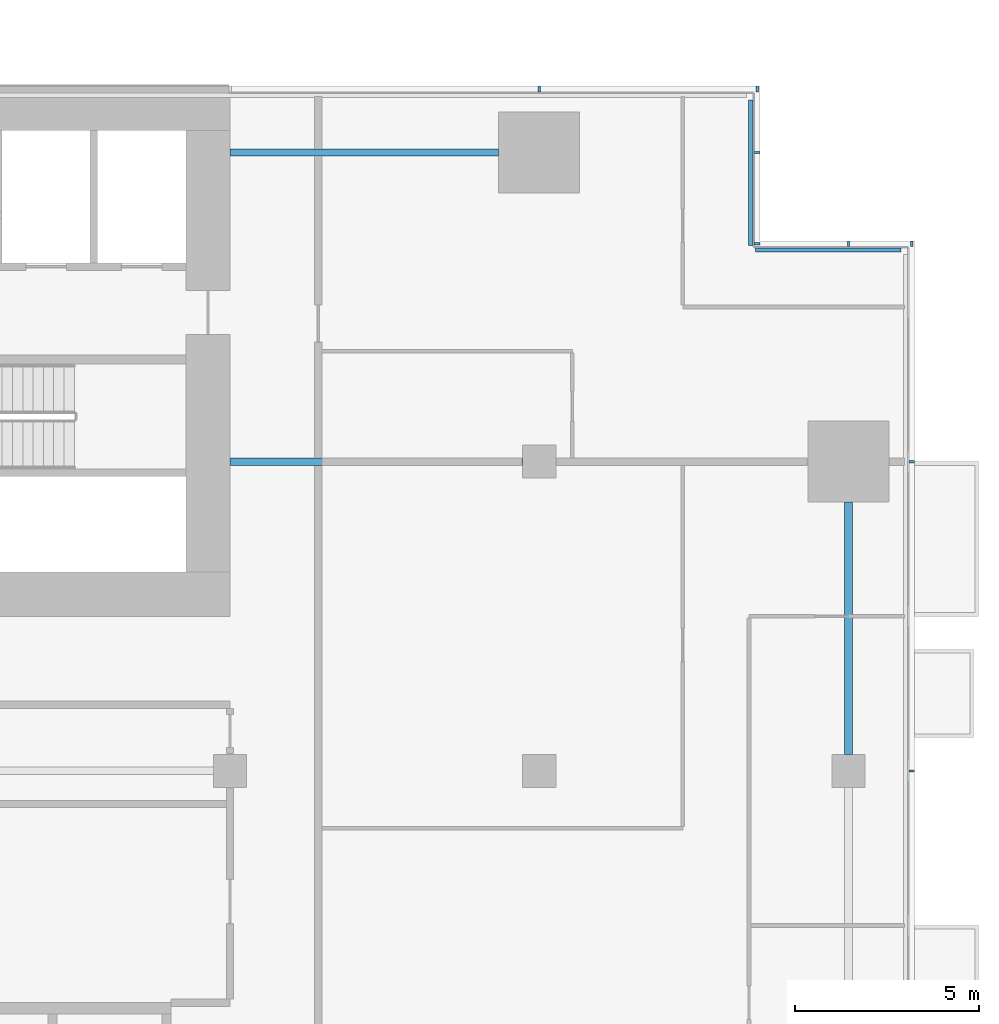
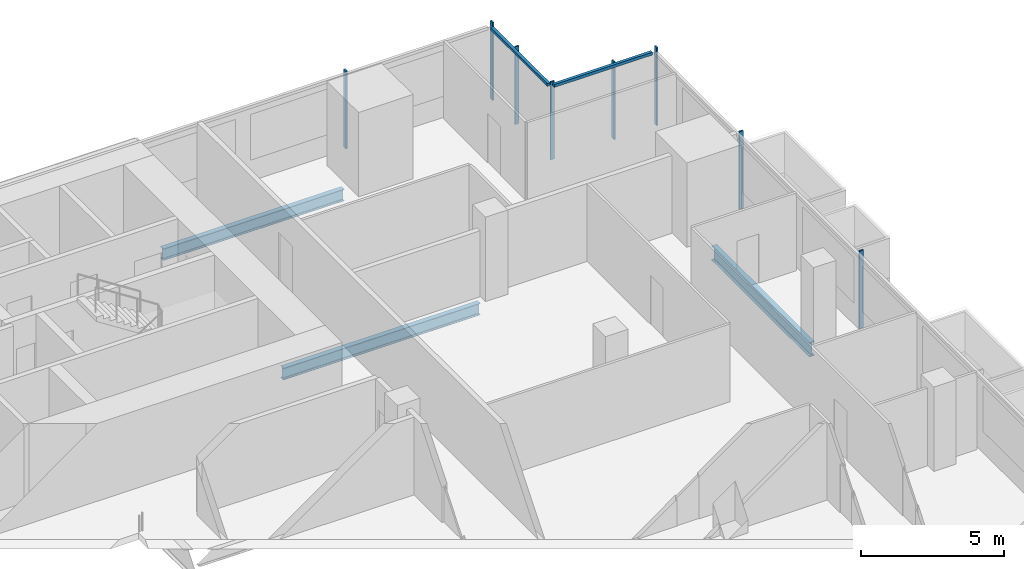
# One storey, part 13 of 27: 10 members, 3 beams, 4 elements without a shape of their own.
"""IFC4 building model written with IfcOpenShell, lengths in metres."""

from ifc_helpers import new_model, si_unit, direction, frame, origin, origin_2d, place, context, subcontext, project, spatial, rectangle, i_section, extrude, material, material_profile, profile_set, type_object, element, aggregate, save


model = new_model("IFC4")

# Units and contexts
model_context = context("Model", 3, precision=1e-05, world=origin(), true_north=direction((0.0, 1.0)))
body_context = subcontext(model_context, "Body", "Model", "MODEL_VIEW")
ifc_project = project(units=[si_unit("LENGTHUNIT", "METRE"), si_unit("AREAUNIT", "SQUARE_METRE"), si_unit("VOLUMEUNIT", "CUBIC_METRE"), si_unit("PLANEANGLEUNIT", "RADIAN"), si_unit("MASSUNIT", "GRAM", prefix="KILO")], contexts=[model_context])

# Site, building, storey
site_placement = place(None, origin())
site = spatial("IfcSite", under=ifc_project, at=site_placement, CompositionType="ELEMENT")
building_placement = place(site_placement, origin())
building = spatial("IfcBuilding", under=site, at=building_placement, Name="Saffron Gate Tower", CompositionType="ELEMENT")
storey_placement = place(building_placement, frame((0.0, 0.0, 40.800048828125)))
storey = spatial("IfcBuildingStorey", under=building, at=storey_placement, Name="L08", CompositionType="ELEMENT", Elevation=40.800048828125)

# Beams
ifc_material_1 = material(Name="Structural steel S355", Category="steel")
ifc_material_profile_1 = material_profile(ifc_material_1, i_section(OverallWidth=0.199951171875, OverallDepth=0.5, WebThickness=0.01025390625, FlangeThickness=0.01611328125, FilletRadius=0.02099609375, at=origin_2d()))
ifc_profile_set_1 = profile_set([ifc_material_profile_1], Name="Structural steel S355")
beam_type_1 = type_object("IfcBeamType", Name="B10 IPE 500", PredefinedType="BEAM", material=ifc_profile_set_1)
beam_1_placement = place(storey_placement, frame((116.550048828125, 65.39990234375, -0.530029296875), z_axis=(-1.0, 0.0, 0.0), x_axis=(0.0, -1.0, 0.0)))
element("IfcBeam", 1, at=beam_1_placement, inside=storey, type_object=beam_type_1, Name="B10 CORE TIE BEAM", PredefinedType="BEAM", context=body_context, shape_type="SweptSolid", body=[
    extrude(i_section(OverallWidth=0.199951171875, OverallDepth=0.5, WebThickness=0.01025390625, FlangeThickness=0.01611328125, FilletRadius=0.02099609375, at=origin_2d()), origin(), (0.0, 0.0, 1.0), 7.949951171875),
])
beam_2_placement = place(storey_placement, frame((115.89990234375, 73.800048828125, -0.530029296875), z_axis=(-1.0, 0.0, 0.0), x_axis=(0.0, -1.0, 0.0)))
element("IfcBeam", 2, at=beam_2_placement, inside=storey, type_object=beam_type_1, Name="B10 CORE TIE BEAM", PredefinedType="BEAM", context=body_context, shape_type="SweptSolid", body=[
    extrude(i_section(OverallWidth=0.199951171875, OverallDepth=0.5, WebThickness=0.01025390625, FlangeThickness=0.01611328125, FilletRadius=0.02099609375, at=origin_2d()), origin(), (0.0, 0.0, 1.0), 7.2998046875),
])
ifc_material_profile_2 = material_profile(ifc_material_1, i_section(OverallWidth=0.219970703125, OverallDepth=0.60009765625, WebThickness=0.011962890625, FlangeThickness=0.01904296875, FilletRadius=0.02392578125, at=origin_2d()))
ifc_profile_set_2 = profile_set([ifc_material_profile_2], Name="Structural steel S355")
beam_type_2 = type_object("IfcBeamType", Name="B16 IPE 600", PredefinedType="SPANDREL", material=ifc_profile_set_2)
beam_3_placement = place(storey_placement, frame((125.39990234375, 57.449951171875, -0.580078125), z_axis=(0.0, 1.0, 0.0), x_axis=(-1.0, 0.0, 0.0)))
element("IfcBeam", 3, at=beam_3_placement, inside=storey, type_object=beam_type_2, Name="B16 SPANDREL BEAM", PredefinedType="SPANDREL", context=body_context, shape_type="SweptSolid", body=[
    extrude(i_section(OverallWidth=0.219970703125, OverallDepth=0.60009765625, WebThickness=0.011962890625, FlangeThickness=0.01904296875, FilletRadius=0.02392578125, at=origin_2d()), origin(), (0.0, 0.0, 1.0), 6.85009765625),
])

# Curtain wall, members
ifc_material_2 = material(Name="Aluminium, bronze anodised", Category="aluminium")
curtain_wall_type_1 = type_object("IfcCurtainWallType", Name="CWS2 curtain wall side facades", PredefinedType="NOTDEFINED", material=ifc_material_2)
curtain_wall_1_placement = place(storey_placement, origin())
curtain_wall_1 = element("IfcCurtainWall", 4, at=curtain_wall_1_placement, inside=storey, type_object=curtain_wall_type_1, Name="CWS2 run 4", PredefinedType="NOTDEFINED")
ifc_material_profile_3 = material_profile(ifc_material_2, rectangle(XDim=0.159912109375, YDim=0.06005859375, at=origin_2d()))
ifc_profile_set_3 = profile_set([ifc_material_profile_3], Name="Aluminium, bronze anodised")
member_type_1 = type_object("IfcMemberType", Name="CWS2 mullion 60x160", PredefinedType="MULLION", material=ifc_profile_set_3)
member_1_placement = place(storey_placement, frame((127.1201171875, 57.0, 0.0), z_axis=(0.0, 0.0, 1.0), x_axis=(-1.0, 0.0, 0.0)))
member_1 = element("IfcMember", 5, at=member_1_placement, type_object=member_type_1, Name="CWS2 mullion 4", PredefinedType="MULLION", context=body_context, shape_type="SweptSolid", body=[
    extrude(rectangle(XDim=0.159912109375, YDim=0.06005859375, at=origin_2d()), origin(), (0.0, 0.0, 1.0), 3.320068359375),
])
member_2_placement = place(storey_placement, frame((127.1201171875, 65.39990234375, 0.0), z_axis=(0.0, 0.0, 1.0), x_axis=(-1.0, 0.0, 0.0)))
member_2 = element("IfcMember", 6, at=member_2_placement, type_object=member_type_1, Name="CWS2 mullion 5", PredefinedType="MULLION", context=body_context, shape_type="SweptSolid", body=[
    extrude(rectangle(XDim=0.159912109375, YDim=0.06005859375, at=origin_2d()), origin(), (0.0, 0.0, 1.0), 3.320068359375),
])
aggregate(curtain_wall_1, [member_1, member_2])

curtain_wall_type_2 = type_object("IfcCurtainWallType", Name="CWS3 curtain wall rear facade", PredefinedType="NOTDEFINED", material=ifc_material_2)
curtain_wall_2_placement = place(storey_placement, origin())
curtain_wall_2 = element("IfcCurtainWall", 7, at=curtain_wall_2_placement, inside=storey, type_object=curtain_wall_type_2, Name="CWS3 run 7", PredefinedType="NOTDEFINED")
ifc_material_profile_4 = material_profile(ifc_material_2, rectangle(XDim=0.159912109375, YDim=0.070068359375, at=origin_2d()))
ifc_profile_set_4 = profile_set([ifc_material_profile_4], Name="Aluminium, bronze anodised")
member_type_2 = type_object("IfcMemberType", Name="CWS3 mullion 70x160", PredefinedType="MULLION", material=ifc_profile_set_4)
member_3_placement = place(storey_placement, frame((122.919921875, 75.52001953125, 0.0), z_axis=(0.0, 0.0, 1.0), x_axis=(0.0, -1.0, 0.0)))
member_3 = element("IfcMember", 8, at=member_3_placement, type_object=member_type_2, Name="CWS3 mullion 1", PredefinedType="MULLION", context=body_context, shape_type="SweptSolid", body=[
    extrude(rectangle(XDim=0.159912109375, YDim=0.070068359375, at=origin_2d()), origin(), (0.0, 0.0, 1.0), 3.320068359375),
])
member_4_placement = place(storey_placement, frame((117.0, 75.52001953125, 0.0), z_axis=(0.0, 0.0, 1.0), x_axis=(0.0, -1.0, 0.0)))
member_4 = element("IfcMember", 9, at=member_4_placement, type_object=member_type_2, Name="CWS3 mullion 2", PredefinedType="MULLION", context=body_context, shape_type="SweptSolid", body=[
    extrude(rectangle(XDim=0.159912109375, YDim=0.070068359375, at=origin_2d()), origin(), (0.0, 0.0, 1.0), 3.320068359375),
])
aggregate(curtain_wall_2, [member_3, member_4])

# Curtain wall, member
curtain_wall_type_3 = type_object("IfcCurtainWallType", Name="CWS4 curtain wall corner returns", PredefinedType="NOTDEFINED", material=ifc_material_2)
curtain_wall_3_placement = place(storey_placement, origin())
curtain_wall_3 = element("IfcCurtainWall", 10, at=curtain_wall_3_placement, inside=storey, type_object=curtain_wall_type_3, Name="CWS4 run 5", PredefinedType="NOTDEFINED")
ifc_material_profile_5 = material_profile(ifc_material_2, rectangle(XDim=0.1201171875, YDim=0.1201171875, at=origin_2d()))
ifc_profile_set_5 = profile_set([ifc_material_profile_5], Name="Aluminium, bronze anodised")
member_type_3 = type_object("IfcMemberType", Name="CWS4 head transom", PredefinedType="USERDEFINED", material=ifc_profile_set_5)
member_5_placement = place(storey_placement, frame((126.83203125, 71.152099609375, 3.260009765625), z_axis=(-1.0, 0.0, 0.0), x_axis=(0.0, -1.0, 0.0)))
member_5 = element("IfcMember", 11, at=member_5_placement, type_object=member_type_3, Name="CWS4 head transom", ObjectType="TRANSOM", PredefinedType="USERDEFINED", context=body_context, shape_type="SweptSolid", body=[
    extrude(rectangle(XDim=0.1201171875, YDim=0.1201171875, at=origin_2d()), origin(), (0.0, 0.0, 1.0), 3.9599609375),
])

curtain_wall_4_placement = place(storey_placement, origin())
curtain_wall_4 = element("IfcCurtainWall", 12, at=curtain_wall_4_placement, inside=storey, type_object=curtain_wall_type_3, Name="CWS4 run 6", PredefinedType="NOTDEFINED")
member_6_placement = place(storey_placement, frame((122.751953125, 71.27197265625, 3.260009765625), z_axis=(0.0, 1.0, 0.0), x_axis=(-1.0, 0.0, 0.0)))
member_6 = element("IfcMember", 13, at=member_6_placement, type_object=member_type_3, Name="CWS4 head transom", ObjectType="TRANSOM", PredefinedType="USERDEFINED", context=body_context, shape_type="SweptSolid", body=[
    extrude(rectangle(XDim=0.1201171875, YDim=0.1201171875, at=origin_2d()), origin(), (0.0, 0.0, 1.0), 3.9599609375),
])

# Member
ifc_material_profile_6 = material_profile(ifc_material_2, rectangle(XDim=0.159912109375, YDim=0.06005859375, at=origin_2d()))
ifc_profile_set_6 = profile_set([ifc_material_profile_6], Name="Aluminium, bronze anodised")
member_type_4 = type_object("IfcMemberType", Name="CWS4 mullion 60x160", PredefinedType="MULLION", material=ifc_profile_set_6)
member_7_placement = place(storey_placement, frame((127.1201171875, 71.320068359375, 0.0), z_axis=(0.0, 0.0, 1.0), x_axis=(0.0, -1.0, 0.0)))
member_7 = element("IfcMember", 14, at=member_7_placement, type_object=member_type_4, Name="CWS4 mullion 1", PredefinedType="MULLION", context=body_context, shape_type="SweptSolid", body=[
    extrude(rectangle(XDim=0.159912109375, YDim=0.06005859375, at=origin_2d()), origin(), (0.0, 0.0, 1.0), 3.320068359375),
])

member_8_placement = place(storey_placement, frame((125.39990234375, 71.320068359375, 0.0), z_axis=(0.0, 0.0, 1.0), x_axis=(0.0, -1.0, 0.0)))
member_8 = element("IfcMember", 15, at=member_8_placement, type_object=member_type_4, Name="CWS4 mullion 2", PredefinedType="MULLION", context=body_context, shape_type="SweptSolid", body=[
    extrude(rectangle(XDim=0.159912109375, YDim=0.06005859375, at=origin_2d()), origin(), (0.0, 0.0, 1.0), 3.320068359375),
])

aggregate(curtain_wall_3, [member_7, member_8, member_5])

member_9_placement = place(storey_placement, frame((122.919921875, 71.320068359375, 0.0), z_axis=(0.0, 0.0, 1.0), x_axis=(-1.0, 0.0, 0.0)))
member_9 = element("IfcMember", 16, at=member_9_placement, type_object=member_type_4, Name="CWS4 mullion 1", PredefinedType="MULLION", context=body_context, shape_type="SweptSolid", body=[
    extrude(rectangle(XDim=0.159912109375, YDim=0.06005859375, at=origin_2d()), origin(), (0.0, 0.0, 1.0), 3.320068359375),
])

member_10_placement = place(storey_placement, frame((122.919921875, 73.800048828125, 0.0), z_axis=(0.0, 0.0, 1.0), x_axis=(-1.0, 0.0, 0.0)))
member_10 = element("IfcMember", 17, at=member_10_placement, type_object=member_type_4, Name="CWS4 mullion 2", PredefinedType="MULLION", context=body_context, shape_type="SweptSolid", body=[
    extrude(rectangle(XDim=0.159912109375, YDim=0.06005859375, at=origin_2d()), origin(), (0.0, 0.0, 1.0), 3.320068359375),
])

aggregate(curtain_wall_4, [member_9, member_10, member_6])

save(model, "model.ifc")
